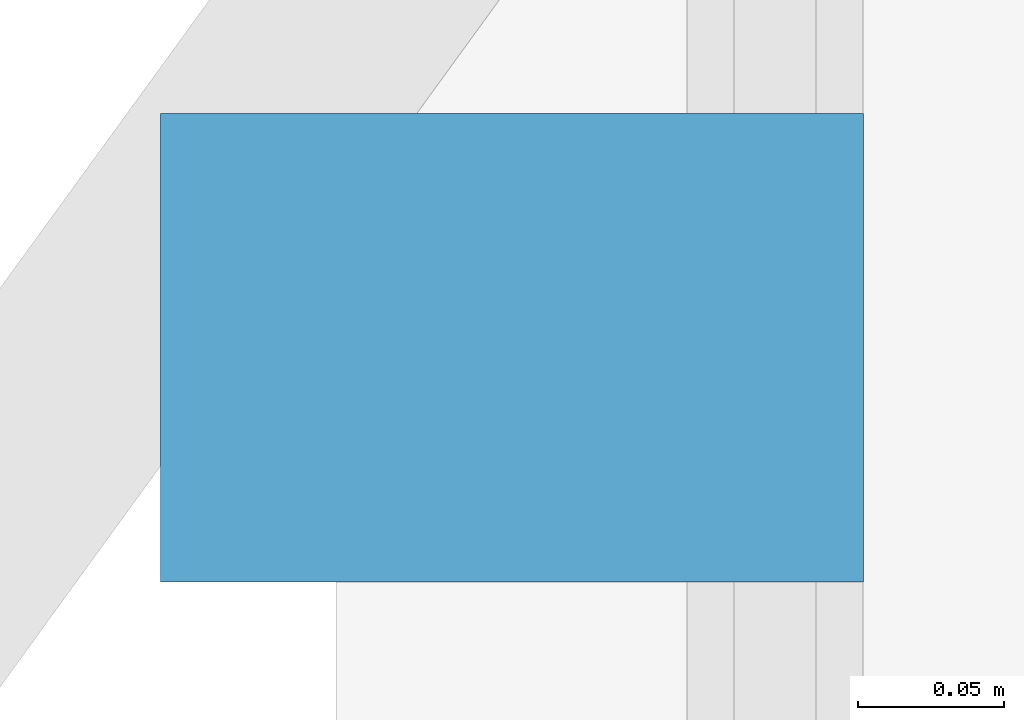
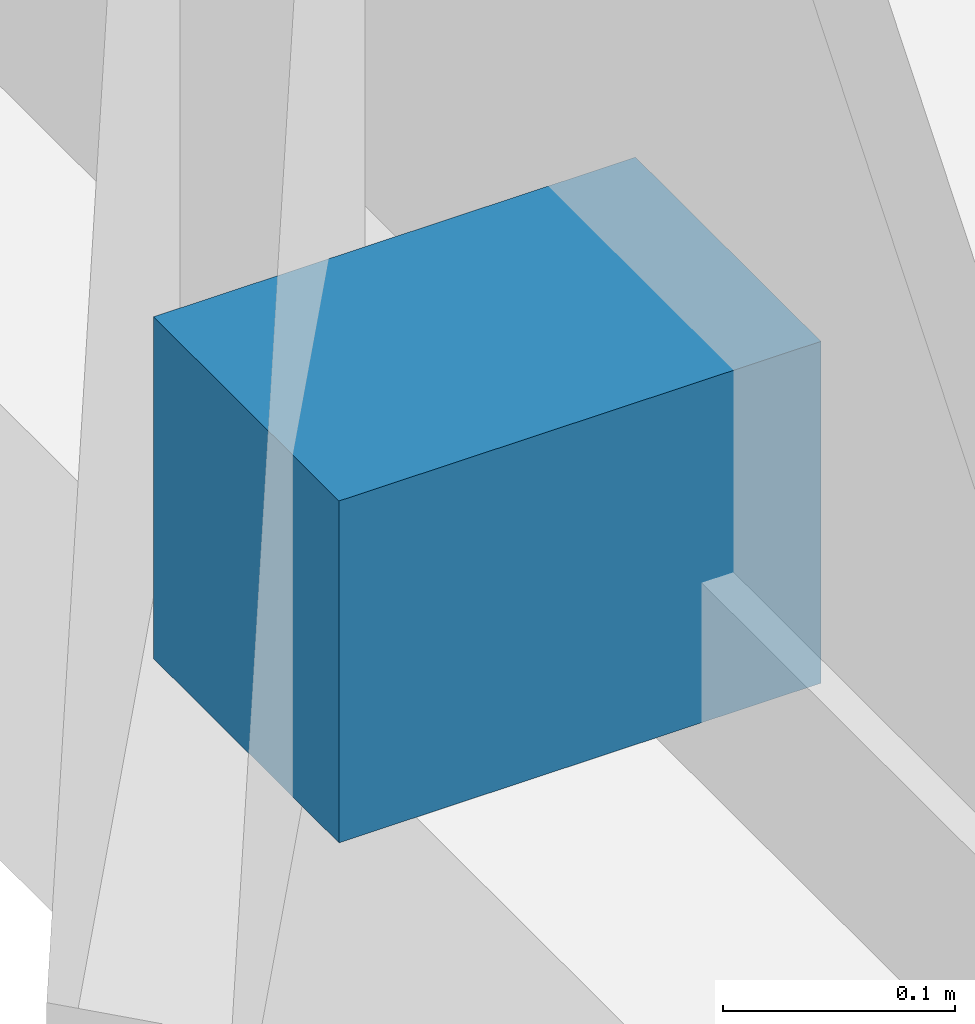
# One storey, part 27 of 29: 1 discrete accessory.
"""IFC4 building model written with IfcOpenShell, lengths in metres."""

import ifcopenshell
import ifcopenshell.guid

model = None  # the IFC model being written
_history = None  # IfcOwnerHistory: only IFC2X3 demands one
_inside = {}  # id of a spatial element -> (the spatial element, [elements in it])
_under = {}  # id of a project, library or spatial element -> (it, [spatial elements below it])
_declared = {}  # id of a project -> (the project, [libraries it declares])
_typed = {}  # id of a type object -> (the type object, [elements of that type])
_made_of = {}  # id of a material, layer set ... -> (it, [elements and type objects made of it])


def new_model(schema):
    """Start an empty IFC model of exactly this schema.

    Asked for "IFC4X3", IfcOpenShell would pick the latest addendum, in which some entities
    have other attributes; the version numbers below select the first issue.
    IFC2X3 requires an IfcOwnerHistory on every rooted entity: one is made here for all.
    """
    global model, _history
    if schema == "IFC4X3":
        model = ifcopenshell.file(schema_version=(4, 3, 0, 0))
    else:
        model = ifcopenshell.file(schema=schema)
    _inside.clear()
    _under.clear()
    _declared.clear()
    _typed.clear()
    _made_of.clear()
    _history = None
    if model.schema == "IFC2X3":
        org = make("IfcOrganization", Name="unknown")
        user = make(
            "IfcPersonAndOrganization",
            ThePerson=make("IfcPerson", FamilyName="unknown"),
            TheOrganization=org,
        )
        app = make(
            "IfcApplication",
            ApplicationDeveloper=org,
            Version="unknown",
            ApplicationFullName="unknown",
            ApplicationIdentifier="unknown",
        )
        _history = make(
            "IfcOwnerHistory",
            OwningUser=user,
            OwningApplication=app,
            ChangeAction="ADDED",
            CreationDate=0,
        )
    return model


def make(cls, **values):
    """One entity of the class cls with the attributes given. An attribute that is None is left unset."""
    return model.create_entity(
        cls, **{name: value for name, value in values.items() if value is not None}
    )


def rooted(cls, **values):
    """An entity with a GlobalId (a new one), such as an element, a storey or a relation."""
    return make(cls, GlobalId=ifcopenshell.guid.new(), OwnerHistory=_history, **values)


def si_unit(unit_type, name, prefix=None):
    """IfcSIUnit, for example si_unit("LENGTHUNIT", "METRE", prefix="MILLI")."""
    return make("IfcSIUnit", UnitType=unit_type, Prefix=prefix, Name=name)


def assignment(units):
    """IfcUnitAssignment: the units of a project."""
    return None if units is None else make("IfcUnitAssignment", Units=units)


def point(xyz):
    """IfcCartesianPoint."""
    return None if xyz is None else make("IfcCartesianPoint", Coordinates=xyz)


def direction(xyz):
    """IfcDirection."""
    return None if xyz is None else make("IfcDirection", DirectionRatios=xyz)


def frame(location, z_axis=None, x_axis=None):
    """IfcAxis2Placement3D, a coordinate frame: its origin and axes. An axis left out is left unset."""
    return make(
        "IfcAxis2Placement3D",
        Location=point(location),
        Axis=direction(z_axis),
        RefDirection=direction(x_axis),
    )


def frame_2d(location, x_axis=None):
    """IfcAxis2Placement2D, a coordinate frame in the plane: its origin and x axis."""
    return make(
        "IfcAxis2Placement2D", Location=point(location), RefDirection=direction(x_axis)
    )


def origin():
    """The frame at (0, 0, 0) with its axes left unset."""
    return frame((0.0, 0.0, 0.0))


def origin_2d():
    """The frame at (0, 0) in the plane with its x axis left unset."""
    return frame_2d((0.0, 0.0))


def place(relative_to, where):
    """IfcLocalPlacement: puts the frame where relative to a parent placement (None: the world)."""
    return make(
        "IfcLocalPlacement", PlacementRelTo=relative_to, RelativePlacement=where
    )


def context(
    kind, dimensions, precision=None, world=None, true_north=None, identifier=None
):
    """IfcGeometricRepresentationContext, for example the 3D "Model" context."""
    return make(
        "IfcGeometricRepresentationContext",
        ContextIdentifier=identifier,
        ContextType=kind,
        CoordinateSpaceDimension=dimensions,
        Precision=precision,
        WorldCoordinateSystem=world,
        TrueNorth=true_north,
    )


def subcontext(parent, identifier, kind, view, scale=None):
    """IfcGeometricRepresentationSubContext, for example "Body" below "Model"."""
    return make(
        "IfcGeometricRepresentationSubContext",
        ContextIdentifier=identifier,
        ContextType=kind,
        ParentContext=parent,
        TargetScale=scale,
        TargetView=view,
    )


def project(units=None, contexts=None):
    """IfcProject with its units and contexts."""
    return rooted(
        "IfcProject",
        Name="project",
        RepresentationContexts=contexts,
        UnitsInContext=assignment(units),
    )


def spatial(cls, under=None, at=None, **own):
    """A site, building, storey or space (cls), placed at a placement, below another one or the project."""
    s = rooted(cls, ObjectPlacement=at, **own)
    if under is not None:
        _under.setdefault(under.id(), (under, []))[1].append(s)
    return s


def profile(cls, at=None, kind="AREA", **sizes):
    """A parametric profile (cls). Its sizes go by their IFC names, for example OverallWidth=200.0."""
    return make(cls, ProfileType=kind, Position=at, **sizes)


def rectangle(**sizes):
    """IfcRectangleProfileDef."""
    return profile("IfcRectangleProfileDef", **sizes)


def extrude(swept, where, along, depth):
    """IfcExtrudedAreaSolid: the profile swept, set in the frame where, extruded along a direction by depth."""
    return make(
        "IfcExtrudedAreaSolid",
        SweptArea=swept,
        Position=where,
        ExtrudedDirection=direction(along),
        Depth=depth,
    )


def shape(context_of_items, identifier, shape_type, items):
    """IfcShapeRepresentation: the items that make up one representation, for example the "Body"."""
    return make(
        "IfcShapeRepresentation",
        ContextOfItems=context_of_items,
        RepresentationIdentifier=identifier,
        RepresentationType=shape_type,
        Items=items,
    )


def material(Name=None, Category=None):
    """IfcMaterial."""
    return make("IfcMaterial", Name=Name, Category=Category)


def made_of(thing, what):
    """Note that an element or type object is made of a material, layer set ...; save() writes the relation."""
    if what is not None:
        _made_of.setdefault(what.id(), (what, []))[1].append(thing)
    return thing


def type_object(cls, material=None, **own):
    """A type object (cls), such as IfcWallType, which elements share."""
    return made_of(rooted(cls, **own), material)


def element(
    cls,
    number,
    at=None,
    inside=None,
    cuts=None,
    type_object=None,
    material=None,
    context=None,
    identifier="Body",
    shape_type=None,
    held_by="IfcProductDefinitionShape",
    body=None,
    shapes=None,
    **own,
):
    """One element of the class cls, such as IfcWall. Its Tag is "e" and its number.

    at: its placement. inside: the storey or other place that contains it. cuts: it is an
    opening in that element (IfcRelVoidsElement). A single representation is given by context,
    identifier, shape_type and body (its items); several are given by shapes. held_by: the class
    of the entity that holds the representations. save() writes the other relations.
    """
    e = rooted(cls, Tag="e%d" % number, ObjectPlacement=at, **own)
    if body is not None:
        shapes = [shape(context, identifier, shape_type, body)]
    if shapes is not None:
        e.Representation = make(held_by, Representations=shapes)
    if inside is not None:
        _inside.setdefault(inside.id(), (inside, []))[1].append(e)
    if cuts is not None:
        rooted(
            "IfcRelVoidsElement", RelatingBuildingElement=cuts, RelatedOpeningElement=e
        )
    if type_object is not None:
        _typed.setdefault(type_object.id(), (type_object, []))[1].append(e)
    return made_of(e, material)


def aggregate(whole, parts):
    """IfcRelAggregates: a whole, such as a stair, and the parts it consists of."""
    return rooted("IfcRelAggregates", RelatingObject=whole, RelatedObjects=parts)


def save(model, path):
    """Write the relations noted so far, then the file.

    IfcRelAggregates (storeys below a building ...), IfcRelContainedInSpatialStructure (elements
    in a storey), IfcRelDefinesByType, IfcRelAssociatesMaterial and IfcRelDeclares: one each for
    every whole, place, type object, material and project.
    """
    for whole, parts in _under.values():
        aggregate(whole, parts)
    for where, things in _inside.values():
        rooted(
            "IfcRelContainedInSpatialStructure",
            RelatedElements=things,
            RelatingStructure=where,
        )
    for kind, things in _typed.values():
        rooted("IfcRelDefinesByType", RelatedObjects=things, RelatingType=kind)
    for what, things in _made_of.values():
        rooted("IfcRelAssociatesMaterial", RelatedObjects=things, RelatingMaterial=what)
    for by, libraries in _declared.values():
        rooted("IfcRelDeclares", RelatingContext=by, RelatedDefinitions=libraries)
    model.write(path)


model = new_model("IFC4")

# Units and contexts
model_context = context("Model", 3, precision=1e-05, world=origin(), true_north=direction((0.0, 1.0)))
body_context = subcontext(model_context, "Body", "Model", "MODEL_VIEW")
ifc_project = project(units=[si_unit("LENGTHUNIT", "METRE"), si_unit("AREAUNIT", "SQUARE_METRE"), si_unit("VOLUMEUNIT", "CUBIC_METRE"), si_unit("PLANEANGLEUNIT", "RADIAN"), si_unit("MASSUNIT", "GRAM", prefix="KILO")], contexts=[model_context])

# Site, building, storey
site_placement = place(None, origin())
site = spatial("IfcSite", under=ifc_project, at=site_placement, CompositionType="ELEMENT")
building_placement = place(site_placement, origin())
building = spatial("IfcBuilding", under=site, at=building_placement, Name="Calvorn Quay Hotel", CompositionType="ELEMENT")
storey_placement = place(building_placement, frame((0.0, 0.0, 120.199951171875)))
storey = spatial("IfcBuildingStorey", under=building, at=storey_placement, Name="L29", CompositionType="ELEMENT", Elevation=120.199951171875)

# Discrete accessory
ifc_material = material(Name="Steel Q355B", Category="steel")
discrete_accessory_type = type_object("IfcDiscreteAccessoryType", Name="ACC-FIN-BRACKET", PredefinedType="BRACKET", material=ifc_material)
discrete_accessory_placement = place(storey_placement, frame((0.06005859375, 37.25, 0.0302734375), z_axis=(0.0, 0.0, 1.0), x_axis=(1.0, 0.0, 0.0)))
element("IfcDiscreteAccessory", 1, at=discrete_accessory_placement, inside=storey, type_object=discrete_accessory_type, Name="Fin Anchor Bracket L29-W03", PredefinedType="BRACKET", context=body_context, shape_type="SweptSolid", body=[
    extrude(rectangle(XDim=0.239990234375, YDim=0.159912109375, at=origin_2d()), origin(), (0.0, 0.0, 1.0), 0.179931640625),
])

save(model, "model.ifc")
